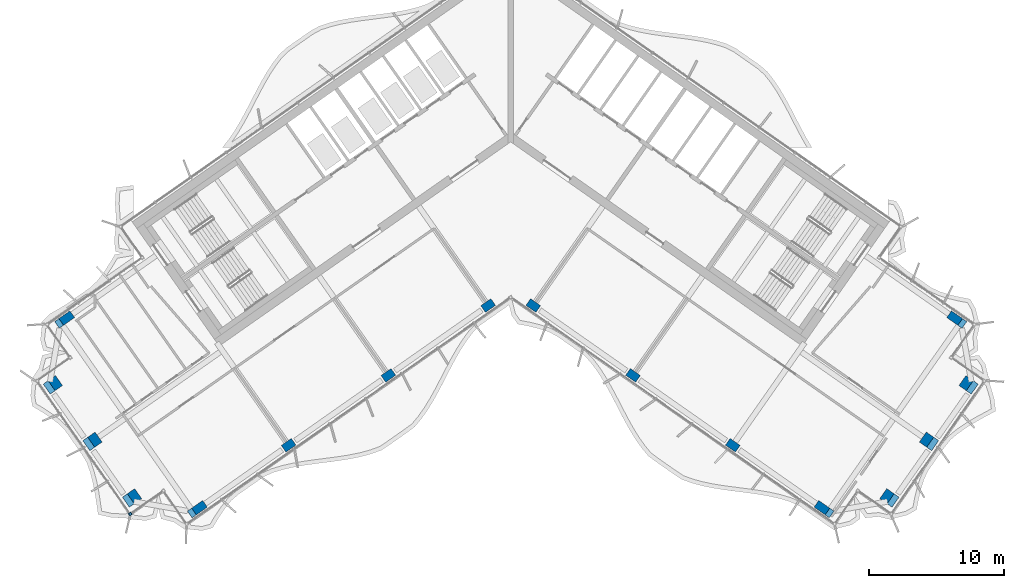
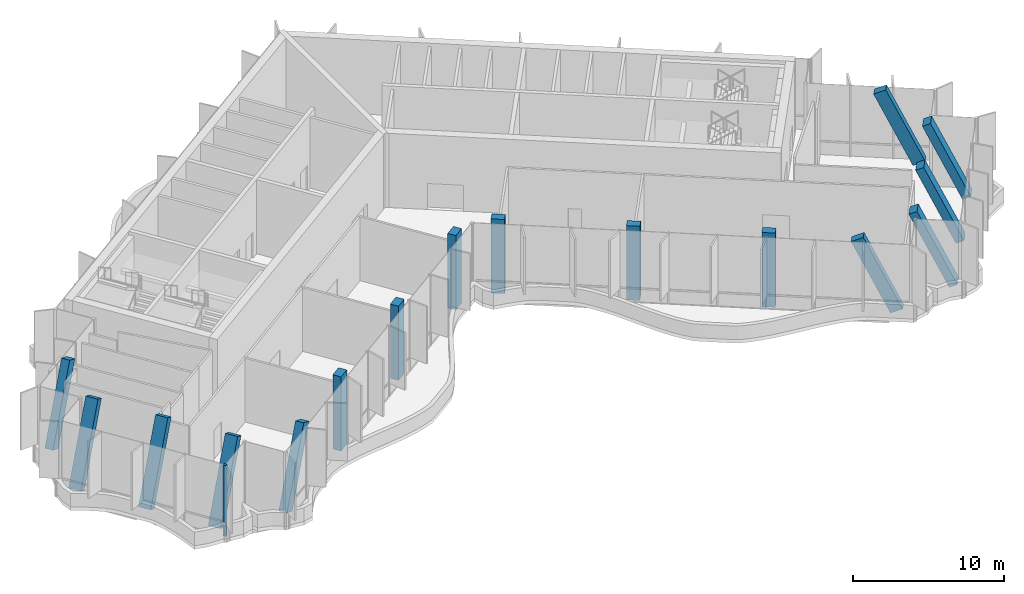
# One storey, part 1 of 22: 16 columns, 1 member, 1 element without a shape of its own.
"""IFC4 building model written with IfcOpenShell, lengths in metres."""

from ifc_helpers import new_model, si_unit, direction, frame, origin, origin_2d, place, context, subcontext, project, spatial, rectangle, extrude, clip, halfspace, material, material_profile, profile_set, type_object, element, aggregate, save


model = new_model("IFC4")

# Units and contexts
model_context = context("Model", 3, precision=1e-05, world=origin(), true_north=direction((0.0, 1.0)))
body_context = subcontext(model_context, "Body", "Model", "MODEL_VIEW")
ifc_project = project(units=[si_unit("LENGTHUNIT", "METRE"), si_unit("AREAUNIT", "SQUARE_METRE"), si_unit("VOLUMEUNIT", "CUBIC_METRE"), si_unit("PLANEANGLEUNIT", "RADIAN"), si_unit("MASSUNIT", "GRAM", prefix="KILO")], contexts=[model_context])

# Site, building, storey
site_placement = place(None, origin())
site = spatial("IfcSite", under=ifc_project, at=site_placement, CompositionType="ELEMENT")
building_placement = place(site_placement, origin())
building = spatial("IfcBuilding", under=site, at=building_placement, Name="Tel Ilan Convention Tower", CompositionType="ELEMENT")
storey_placement = place(building_placement, frame((0.0, 0.0, 219.39990234375)))
storey = spatial("IfcBuildingStorey", under=building, at=storey_placement, Name="L51", CompositionType="ELEMENT", Elevation=219.39990234375)

# Columns
ifc_material_1 = material(Name="Concrete C40/50", Category="concrete")
ifc_material_profile_1 = material_profile(ifc_material_1, rectangle(XDim=0.89990234375, YDim=0.60009765625, at=origin_2d()), Name="RC 600x900")
ifc_profile_set_1 = profile_set([ifc_material_profile_1], Name="Concrete C40/50")
column_type = type_object("IfcColumnType", Name="Column RC 600x900 C40/50", PredefinedType="COLUMN", material=ifc_profile_set_1)
for number, where, z_axis, x_axis, name in (
    (1, (-1.665283203125, -13.312744140625, 0.0), (0.0, 0.0, 1.0), (-0.819152044289, -0.573576436351, 0.0), "L51 column W-F1"),
    (2, (-9.03759765625, -18.474853515625, 0.0), (0.0, 0.0, 1.0), (-0.819152044289, -0.573576436351, 0.0), "L51 column W-F2"),
    (3, (-16.409912109375, -23.63720703125, 0.0), (0.0, 0.0, 1.0), (-0.819152044289, -0.573576436351, 0.0), "L51 column W-F3"),
):
    element("IfcColumn", number, at=place(storey_placement, frame(where, z_axis=z_axis, x_axis=x_axis)), inside=storey, type_object=column_type, Name=name, PredefinedType="COLUMN", context=body_context, shape_type="SweptSolid", body=[
        extrude(rectangle(XDim=0.89990234375, YDim=0.60009765625, at=origin_2d()), origin(), (0.0, 0.0, 1.0), 6.0),
    ])
for number, where, z_axis, x_axis, name in (
    (4, (-23.454833984375, -28.56982421875, 0.000244140625), (0.346419929746, 0.242521510085, 0.906187921692), (-0.742350325338, -0.519704285042, 0.422875218687), "L51 column W-FC"),
    (5, (-33.262939453125, -14.5625, 0.000244140625), (0.346416621851, 0.242558564294, 0.906179268684), (-0.742303599802, -0.519755935718, 0.422893760899), "L51 column W-BC"),
):
    element("IfcColumn", number, at=place(storey_placement, frame(where, z_axis=z_axis, x_axis=x_axis)), inside=storey, type_object=column_type, Name=name, PredefinedType="COLUMN", context=body_context, shape_type="Clipping", body=[
        clip(clip(extrude(rectangle(XDim=0.89990234375, YDim=0.60009765625, at=origin_2d()), origin(), (0.0, 0.0, 1.0), 6.62109375), halfspace(frame((0.0, 0.0, 0.2099609375), z_axis=(0.0, 0.0, 1.0), x_axis=(1.0, 0.0, 0.0)), True)), halfspace(frame((0.0, 0.0, 6.4111328125), z_axis=(0.0, 0.0, 1.0), x_axis=(1.0, 0.0, 0.0)), False)),
    ])
for number, where, z_axis, x_axis, name in (
    (6, (-28.259765625, -27.72265625, 0.0), (0.346424451196, 0.242551016063, 0.906178296044), (-0.573547881563, 0.819172037825, 0.0), "L51 column W-E1"),
    (7, (-31.18505859375, -23.544921875, 0.0), (0.346424451196, 0.242551016063, 0.906178296044), (-0.573547881563, 0.819172037825, 0.0), "L51 column W-E2"),
):
    element("IfcColumn", number, at=place(storey_placement, frame(where, z_axis=z_axis, x_axis=x_axis)), inside=storey, type_object=column_type, Name=name, PredefinedType="COLUMN", context=body_context, shape_type="Clipping", body=[
        clip(clip(extrude(rectangle(XDim=0.89990234375, YDim=0.60009765625, at=origin_2d()), origin(), (0.0, 0.0, 1.0), 6.621337890625), halfspace(frame((0.0, 0.0, 0.139892578125), z_axis=(0.0, 0.0, 1.0), x_axis=(1.0, 0.0, 0.0)), True)), halfspace(frame((0.0, 0.0, 6.481201171875), z_axis=(0.0, 0.0, 1.0), x_axis=(1.0, 0.0, 0.0)), False)),
    ])
column_1_placement = place(storey_placement, frame((-34.110107421875, -19.3671875, 0.0), z_axis=(0.346390570757, 0.242554250947, 0.906190381674), x_axis=(-0.573590657386, 0.819142086429, 0.0)))
element("IfcColumn", 8, at=column_1_placement, inside=storey, type_object=column_type, Name="L51 column W-E3", PredefinedType="COLUMN", context=body_context, shape_type="Clipping", body=[
    clip(clip(extrude(rectangle(XDim=0.89990234375, YDim=0.60009765625, at=origin_2d()), origin(), (0.0, 0.0, 1.0), 6.62109375), halfspace(frame((0.0, 0.0, 0.139892578125), z_axis=(0.0, 0.0, 1.0), x_axis=(1.0, 0.0, 0.0)), True)), halfspace(frame((0.0, 0.0, 6.481201171875), z_axis=(0.0, 0.0, 1.0), x_axis=(1.0, 0.0, 0.0)), False)),
])
for number, where, z_axis, x_axis, name in (
    (9, (1.665283203125, -13.312744140625, 0.0), (0.0, 0.0, 1.0), (0.819152044289, -0.573576436351, 0.0), "L51 column E-F1"),
    (10, (9.03759765625, -18.474853515625, 0.0), (0.0, 0.0, 1.0), (0.819152044289, -0.573576436351, 0.0), "L51 column E-F2"),
    (11, (16.409912109375, -23.63720703125, 0.0), (0.0, 0.0, 1.0), (0.819152044289, -0.573576436351, 0.0), "L51 column E-F3"),
):
    element("IfcColumn", number, at=place(storey_placement, frame(where, z_axis=z_axis, x_axis=x_axis)), inside=storey, type_object=column_type, Name=name, PredefinedType="COLUMN", context=body_context, shape_type="SweptSolid", body=[
        extrude(rectangle(XDim=0.89990234375, YDim=0.60009765625, at=origin_2d()), origin(), (0.0, 0.0, 1.0), 6.0),
    ])
for number, where, z_axis, x_axis, name in (
    (12, (23.454833984375, -28.56982421875, 0.000244140625), (-0.346419929746, 0.242521510085, 0.906187921692), (0.742350325338, -0.519704285042, 0.422875218687), "L51 column E-FC"),
    (13, (33.262939453125, -14.5625, 0.000244140625), (-0.346416621851, 0.242558564294, 0.906179268684), (0.742303599802, -0.519755935718, 0.422893760899), "L51 column E-BC"),
):
    element("IfcColumn", number, at=place(storey_placement, frame(where, z_axis=z_axis, x_axis=x_axis)), inside=storey, type_object=column_type, Name=name, PredefinedType="COLUMN", context=body_context, shape_type="Clipping", body=[
        clip(clip(extrude(rectangle(XDim=0.89990234375, YDim=0.60009765625, at=origin_2d()), origin(), (0.0, 0.0, 1.0), 6.62109375), halfspace(frame((0.0, 0.0, 0.2099609375), z_axis=(0.0, 0.0, 1.0), x_axis=(1.0, 0.0, 0.0)), True)), halfspace(frame((0.0, 0.0, 6.4111328125), z_axis=(0.0, 0.0, 1.0), x_axis=(1.0, 0.0, 0.0)), False)),
    ])
for number, where, z_axis, x_axis, name in (
    (14, (28.259765625, -27.72265625, 0.0), (-0.346424451196, 0.242551016063, 0.906178296044), (0.573547881563, 0.819172037825, 0.0), "L51 column E-E1"),
    (15, (31.18505859375, -23.544921875, 0.0), (-0.346424451196, 0.242551016063, 0.906178296044), (0.573547881563, 0.819172037825, 0.0), "L51 column E-E2"),
):
    element("IfcColumn", number, at=place(storey_placement, frame(where, z_axis=z_axis, x_axis=x_axis)), inside=storey, type_object=column_type, Name=name, PredefinedType="COLUMN", context=body_context, shape_type="Clipping", body=[
        clip(clip(extrude(rectangle(XDim=0.89990234375, YDim=0.60009765625, at=origin_2d()), origin(), (0.0, 0.0, 1.0), 6.621337890625), halfspace(frame((0.0, 0.0, 0.139892578125), z_axis=(0.0, 0.0, 1.0), x_axis=(1.0, 0.0, 0.0)), True)), halfspace(frame((0.0, 0.0, 6.481201171875), z_axis=(0.0, 0.0, 1.0), x_axis=(1.0, 0.0, 0.0)), False)),
    ])
column_2_placement = place(storey_placement, frame((34.110107421875, -19.3671875, 0.0), z_axis=(-0.346390570757, 0.242554250947, 0.906190381674), x_axis=(0.573590657386, 0.819142086429, 0.0)))
element("IfcColumn", 16, at=column_2_placement, inside=storey, type_object=column_type, Name="L51 column E-E3", PredefinedType="COLUMN", context=body_context, shape_type="Clipping", body=[
    clip(clip(extrude(rectangle(XDim=0.89990234375, YDim=0.60009765625, at=origin_2d()), origin(), (0.0, 0.0, 1.0), 6.62109375), halfspace(frame((0.0, 0.0, 0.139892578125), z_axis=(0.0, 0.0, 1.0), x_axis=(1.0, 0.0, 0.0)), True)), halfspace(frame((0.0, 0.0, 6.481201171875), z_axis=(0.0, 0.0, 1.0), x_axis=(1.0, 0.0, 0.0)), False)),
])

# Curtain wall, member
ifc_material_2 = material(Name="Aluminium, bronze anodised", Category="aluminium")
curtain_wall_type = type_object("IfcCurtainWallType", Name="CW5 STICK CURTAIN WALL, UPPER OFFICE LOW-IRON TINTED GLASS", PredefinedType="NOTDEFINED", material=ifc_material_2)
curtain_wall_placement = place(storey_placement, origin())
curtain_wall = element("IfcCurtainWall", 17, at=curtain_wall_placement, inside=storey, type_object=curtain_wall_type, Name="Curtain wall CW5-40.02", PredefinedType="NOTDEFINED")
ifc_material_3 = material(Name="Aluminium, bronze anodised", Category="aluminium")
ifc_material_profile_2 = material_profile(ifc_material_3, rectangle(XDim=0.199951171875, YDim=0.199951171875, at=origin_2d()), Name="CW CORNER MULLION 200x200")
ifc_profile_set_2 = profile_set([ifc_material_profile_2], Name="Aluminium, bronze anodised")
member_type = type_object("IfcMemberType", Name="CW CORNER MULLION 200x200", PredefinedType="MULLION", material=ifc_profile_set_2)
member_placement = place(storey_placement, frame((-28.112060546875, -28.718017578125, 0.0), z_axis=(0.0, 0.0, 1.0), x_axis=(0.573576436351, -0.819152044289, 0.0)))
member = element("IfcMember", 18, at=member_placement, type_object=member_type, Name="Corner mullion", PredefinedType="MULLION", context=body_context, shape_type="SweptSolid", body=[
    extrude(rectangle(XDim=0.199951171875, YDim=0.199951171875, at=origin_2d()), origin(), (0.0, 0.0, 1.0), 5.72021484375),
])
aggregate(curtain_wall, [member])

save(model, "model.ifc")
